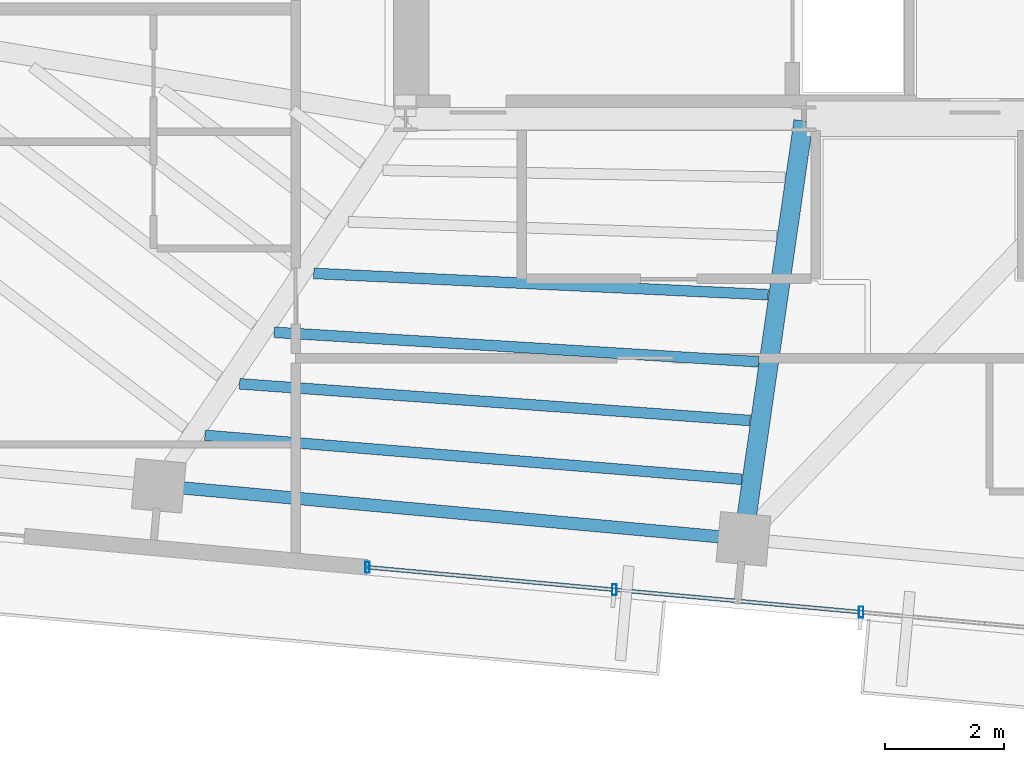
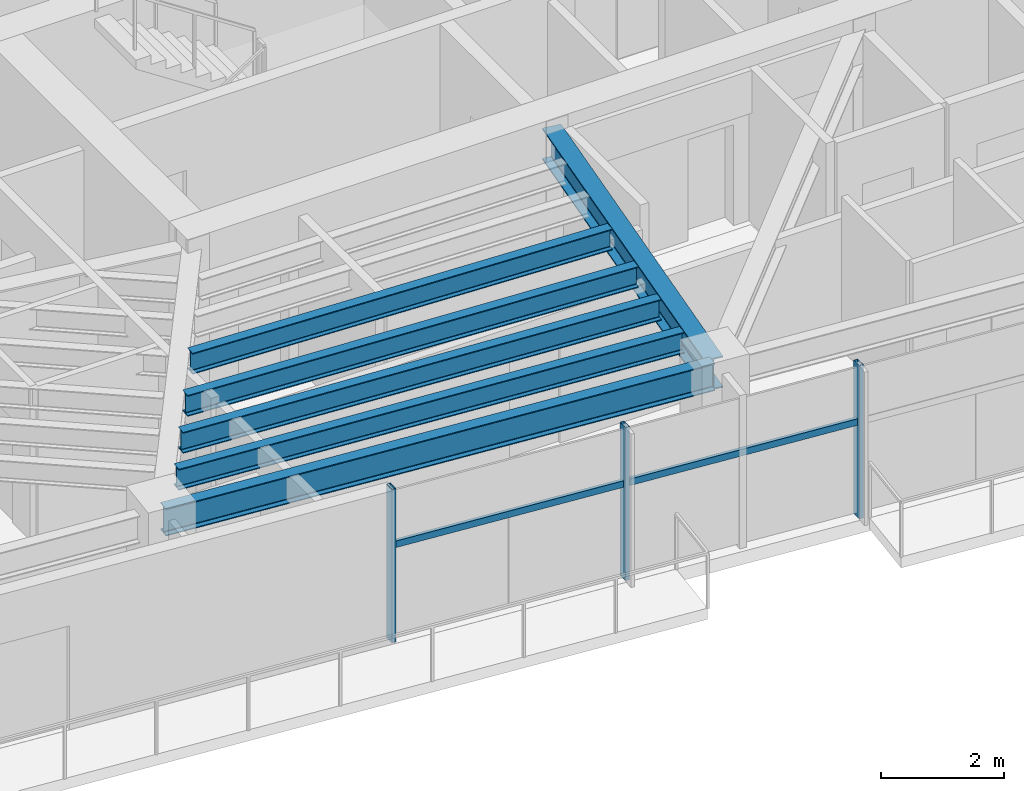
# One storey, part 6 of 22: 6 beams, 5 members, 1 element without a shape of its own.
"""IFC4 building model written with IfcOpenShell, lengths in metres."""

from ifc_helpers import new_model, si_unit, direction, frame, origin, origin_2d, place, context, subcontext, project, spatial, hollow_rectangle, i_section, extrude, source, transform, mapped, material, material_profile, profile_set, type_object, type_shapes, element, aggregate, save


model = new_model("IFC4")

# Units and contexts
model_context = context("Model", 3, precision=1e-05, world=origin(), true_north=direction((0.0, 1.0)))
body_context = subcontext(model_context, "Body", "Model", "MODEL_VIEW")
ifc_project = project(units=[si_unit("LENGTHUNIT", "METRE"), si_unit("AREAUNIT", "SQUARE_METRE"), si_unit("VOLUMEUNIT", "CUBIC_METRE"), si_unit("PLANEANGLEUNIT", "RADIAN"), si_unit("MASSUNIT", "GRAM", prefix="KILO")], contexts=[model_context])

# Site, building, storey
site_placement = place(None, origin())
site = spatial("IfcSite", under=ifc_project, at=site_placement, CompositionType="ELEMENT")
building_placement = place(site_placement, origin())
building = spatial("IfcBuilding", under=site, at=building_placement, Name="Astriad Promenade Condominiums", CompositionType="ELEMENT")
storey_placement = place(building_placement, frame((0.0, 0.0, 252.89990234375)))
storey = spatial("IfcBuildingStorey", under=building, at=storey_placement, Name="L73", CompositionType="ELEMENT", Elevation=252.89990234375)

# Beams
ifc_material_1 = material(Name="Steel ASTM A992 Grade 50", Category="steel")
ifc_material_profile_1 = material_profile(ifc_material_1, i_section(OverallWidth=0.210693359375, OverallDepth=0.53955078125, WebThickness=0.01171875, FlangeThickness=0.018798828125, FilletRadius=0.0166015625, at=origin_2d()), Name="W21X73")
ifc_profile_set_1 = profile_set([ifc_material_profile_1], Name="Steel ASTM A992 Grade 50")
beam_type_1 = type_object("IfcBeamType", Name="STEEL SPANDREL BEAM W21X73", PredefinedType="SPANDREL", material=ifc_profile_set_1)
shared_shape_1 = source(origin(), body_context, "Body", "SweptSolid", [
    extrude(i_section(OverallWidth=0.210693359375, OverallDepth=0.53955078125, WebThickness=0.01171875, FlangeThickness=0.018798828125, FilletRadius=0.0166015625, at=origin_2d()), origin(), (0.0, 0.0, 1.0), 9.81982421875),
])
type_shapes(beam_type_1, [shared_shape_1])
beam_1_placement = place(storey_placement, frame((22.281005859375, 11.205322265625, 2.7705078125), z_axis=(0.995885459014, -0.090620927631, 0.0), x_axis=(0.090620927631, 0.995885459014, 0.0)))
element("IfcBeam", 1, at=beam_1_placement, inside=storey, type_object=beam_type_1, Name="Perimeter Spandrel Beam SP-S2-L73", PredefinedType="SPANDREL", context=body_context, shape_type="MappedRepresentation", body=[
    mapped(shared_shape_1, transform((0.0, 0.0, 0.0), scale=1.0)),
])
ifc_material_profile_2 = material_profile(ifc_material_1, i_section(OverallWidth=0.326416015625, OverallDepth=0.621826171875, WebThickness=0.015380859375, FlangeThickness=0.0244140625, FilletRadius=0.017822265625, at=origin_2d()), Name="W24X131")
ifc_profile_set_2 = profile_set([ifc_material_profile_2], Name="Steel ASTM A992 Grade 50")
beam_type_2 = type_object("IfcBeamType", Name="STEEL FLOOR GIRDER W24X131", PredefinedType="BEAM", material=ifc_profile_set_2)
shared_shape_2 = source(origin(), body_context, "Body", "SweptSolid", [
    extrude(i_section(OverallWidth=0.326416015625, OverallDepth=0.621826171875, WebThickness=0.015380859375, FlangeThickness=0.0244140625, FilletRadius=0.017822265625, at=origin_2d()), origin(), (0.0, 0.0, 1.0), 7.081298828125),
])
type_shapes(beam_type_2, [shared_shape_2])
beam_2_placement = place(storey_placement, frame((32.10595703125, 10.351318359375, 2.729248046875), z_axis=(0.142391481124, 0.989810419274, 0.0), x_axis=(-0.989810419274, 0.142391481124, 0.0)))
element("IfcBeam", 2, at=beam_2_placement, inside=storey, type_object=beam_type_2, Name="Primary Floor Girder PG-C1-L73", PredefinedType="BEAM", context=body_context, shape_type="MappedRepresentation", body=[
    mapped(shared_shape_2, transform((0.0, 0.0, 0.0), scale=1.0)),
])
ifc_material_profile_3 = material_profile(ifc_material_1, i_section(OverallWidth=0.180908203125, OverallDepth=0.417236328125, WebThickness=0.010986328125, FlangeThickness=0.018310546875, FilletRadius=0.013916015625, at=origin_2d()), Name="W16X57")
ifc_profile_set_3 = profile_set([ifc_material_profile_3], Name="Steel ASTM A992 Grade 50")
beam_type_3 = type_object("IfcBeamType", Name="STEEL FLOOR JOIST W16X57", PredefinedType="JOIST", material=ifc_profile_set_3)
shared_shape_3 = source(origin(), body_context, "Body", "SweptSolid", [
    extrude(i_section(OverallWidth=0.180908203125, OverallDepth=0.417236328125, WebThickness=0.010986328125, FlangeThickness=0.018310546875, FilletRadius=0.013916015625, at=origin_2d()), origin(), (0.0, 0.0, 1.0), 9.08056640625),
])
beam_3_placement = place(storey_placement, frame((23.019775390625, 12.059814453125, 2.831298828125), z_axis=(0.996660857814, -0.081652522934, 0.0), x_axis=(0.081652522934, 0.996660857814, 0.0)))
element("IfcBeam", 3, at=beam_3_placement, inside=storey, type_object=beam_type_3, Name="Secondary Composite Floor Joist JCW-1-L73", PredefinedType="JOIST", context=body_context, shape_type="MappedRepresentation", body=[
    mapped(shared_shape_3, transform((0.0, 0.0, 0.0), scale=1.0)),
])
shared_shape_4 = source(origin(), body_context, "Body", "SweptSolid", [
    extrude(i_section(OverallWidth=0.180908203125, OverallDepth=0.417236328125, WebThickness=0.010986328125, FlangeThickness=0.018310546875, FilletRadius=0.013916015625, at=origin_2d()), origin(), (0.0, 0.0, 1.0), 8.631591796875),
])
beam_4_placement = place(storey_placement, frame((23.603271484375, 12.92822265625, 2.831298828125), z_axis=(0.997424124914, -0.071729457259, 0.0), x_axis=(0.071729457259, 0.997424124914, 0.0)))
element("IfcBeam", 4, at=beam_4_placement, inside=storey, type_object=beam_type_3, Name="Secondary Composite Floor Joist JCW-2-L73", PredefinedType="JOIST", context=body_context, shape_type="MappedRepresentation", body=[
    mapped(shared_shape_4, transform((0.0, 0.0, 0.0), scale=1.0)),
])
shared_shape_5 = source(origin(), body_context, "Body", "SweptSolid", [
    extrude(i_section(OverallWidth=0.180908203125, OverallDepth=0.417236328125, WebThickness=0.010986328125, FlangeThickness=0.018310546875, FilletRadius=0.013916015625, at=origin_2d()), origin(), (0.0, 0.0, 1.0), 8.183349609375),
])
beam_5_placement = place(storey_placement, frame((24.186767578125, 13.797119140625, 2.831298828125), z_axis=(0.998148077796, -0.06083103478, 0.0), x_axis=(0.06083103478, 0.998148077796, 0.0)))
element("IfcBeam", 5, at=beam_5_placement, inside=storey, type_object=beam_type_3, Name="Secondary Composite Floor Joist JCW-3-L73", PredefinedType="JOIST", context=body_context, shape_type="MappedRepresentation", body=[
    mapped(shared_shape_5, transform((0.0, 0.0, 0.0), scale=1.0)),
])
shared_shape_6 = source(origin(), body_context, "Body", "SweptSolid", [
    extrude(i_section(OverallWidth=0.180908203125, OverallDepth=0.417236328125, WebThickness=0.010986328125, FlangeThickness=0.018310546875, FilletRadius=0.013916015625, at=origin_2d()), origin(), (0.0, 0.0, 1.0), 7.672119140625),
])
type_shapes(beam_type_3, [shared_shape_3, shared_shape_4, shared_shape_5, shared_shape_6])
beam_6_placement = place(storey_placement, frame((24.85400390625, 14.790283203125, 2.831298828125), z_axis=(0.998903848677, -0.04680919886, 0.0), x_axis=(0.04680919886, 0.998903848677, 0.0)))
element("IfcBeam", 6, at=beam_6_placement, inside=storey, type_object=beam_type_3, Name="Secondary Composite Floor Joist JCW-4-L73", PredefinedType="JOIST", context=body_context, shape_type="MappedRepresentation", body=[
    mapped(shared_shape_6, transform((0.0, 0.0, 0.0), scale=1.0)),
])

# Curtain wall, members
ifc_material_2 = material(Name="Anodised aluminium Black Dark Glass Unitised", Category="aluminium")
curtain_wall_type = type_object("IfcCurtainWallType", Name="CW-B5-DARK", PredefinedType="USERDEFINED", material=ifc_material_2)
curtain_wall_placement = place(storey_placement, origin())
curtain_wall = element("IfcCurtainWall", 7, at=curtain_wall_placement, inside=storey, type_object=curtain_wall_type, Name="CW-L73-S", ObjectType="UNITISED_CURTAIN_WALL", PredefinedType="USERDEFINED")
ifc_material_3 = material(Name="Anodised aluminium 6063-T6 Black", Category="aluminium")
ifc_material_profile_4 = material_profile(ifc_material_3, hollow_rectangle(XDim=0.06494140625, YDim=0.1298828125, WallThickness=0.00390625, at=origin_2d()), Name="ALU-TRN-65X130")
ifc_profile_set_4 = profile_set([ifc_material_profile_4], Name="Anodised aluminium 6063-T6 Black")
member_type_1 = type_object("IfcMemberType", Name="TRN-ALU-TRN-65X130", PredefinedType="USERDEFINED", material=ifc_profile_set_4)
shared_shape_7 = source(origin(), body_context, "Body", "SweptSolid", [
    extrude(hollow_rectangle(XDim=0.06494140625, YDim=0.1298828125, WallThickness=0.00390625, at=origin_2d()), origin(), (0.0, 0.0, 1.0), 4.179931640625),
])
type_shapes(member_type_1, [shared_shape_7])
member_1_placement = place(storey_placement, frame((34.086669921875, 9.07666015625, 1.885009765625), z_axis=(-0.995883146811, 0.090646334165, 0.0), x_axis=(-0.090646334165, -0.995883146811, 0.0)))
member_1 = element("IfcMember", 8, at=member_1_placement, type_object=member_type_1, Name="CW-L73-S-TRN-01-0", ObjectType="TRANSOM", PredefinedType="USERDEFINED", context=body_context, shape_type="MappedRepresentation", body=[
    mapped(shared_shape_7, transform((0.0, 0.0, 0.0), scale=1.0)),
])
member_2_placement = place(storey_placement, frame((29.923828125, 9.45556640625, 1.885009765625), z_axis=(-0.995883146811, 0.090646334165, 0.0), x_axis=(-0.090646334165, -0.995883146811, 0.0)))
member_2 = element("IfcMember", 9, at=member_2_placement, type_object=member_type_1, Name="CW-L73-S-TRN-02-0", ObjectType="TRANSOM", PredefinedType="USERDEFINED", context=body_context, shape_type="MappedRepresentation", body=[
    mapped(shared_shape_7, transform((0.0, 0.0, 0.0), scale=1.0)),
])
ifc_material_profile_5 = material_profile(ifc_material_3, hollow_rectangle(XDim=0.074951171875, YDim=0.18505859375, WallThickness=0.00439453125, at=origin_2d()), Name="ALU-MUL-75X185")
ifc_profile_set_5 = profile_set([ifc_material_profile_5], Name="Anodised aluminium 6063-T6 Black")
member_type_2 = type_object("IfcMemberType", Name="MUL-ALU-MUL-75X185", PredefinedType="MULLION", material=ifc_profile_set_5)
shared_shape_8 = source(origin(), body_context, "Body", "SweptSolid", [
    extrude(hollow_rectangle(XDim=0.074951171875, YDim=0.18505859375, WallThickness=0.00439453125, at=origin_2d()), origin(), (0.0, 0.0, 1.0), 3.0400390625),
])
type_shapes(member_type_2, [shared_shape_8])
member_3_placement = place(storey_placement, frame((34.086669921875, 9.07666015625, 0.0), z_axis=(0.0, 0.0, 1.0), x_axis=(1.0, 0.0, 0.0)))
member_3 = element("IfcMember", 10, at=member_3_placement, type_object=member_type_2, Name="CW-L73-S-MUL-01", PredefinedType="MULLION", context=body_context, shape_type="MappedRepresentation", body=[
    mapped(shared_shape_8, transform((0.0, 0.0, 0.0), scale=1.0)),
])
member_4_placement = place(storey_placement, frame((29.923828125, 9.45556640625, 0.0), z_axis=(0.0, 0.0, 1.0), x_axis=(1.0, 0.0, 0.0)))
member_4 = element("IfcMember", 11, at=member_4_placement, type_object=member_type_2, Name="CW-L73-S-MUL-02", PredefinedType="MULLION", context=body_context, shape_type="MappedRepresentation", body=[
    mapped(shared_shape_8, transform((0.0, 0.0, 0.0), scale=1.0)),
])
member_5_placement = place(storey_placement, frame((25.760986328125, 9.83447265625, 0.0), z_axis=(0.0, 0.0, 1.0), x_axis=(1.0, 0.0, 0.0)))
member_5 = element("IfcMember", 12, at=member_5_placement, type_object=member_type_2, Name="CW-L73-S-MUL-03", PredefinedType="MULLION", context=body_context, shape_type="MappedRepresentation", body=[
    mapped(shared_shape_8, transform((0.0, 0.0, 0.0), scale=1.0)),
])
aggregate(curtain_wall, [member_3, member_4, member_5, member_1, member_2])

save(model, "model.ifc")
